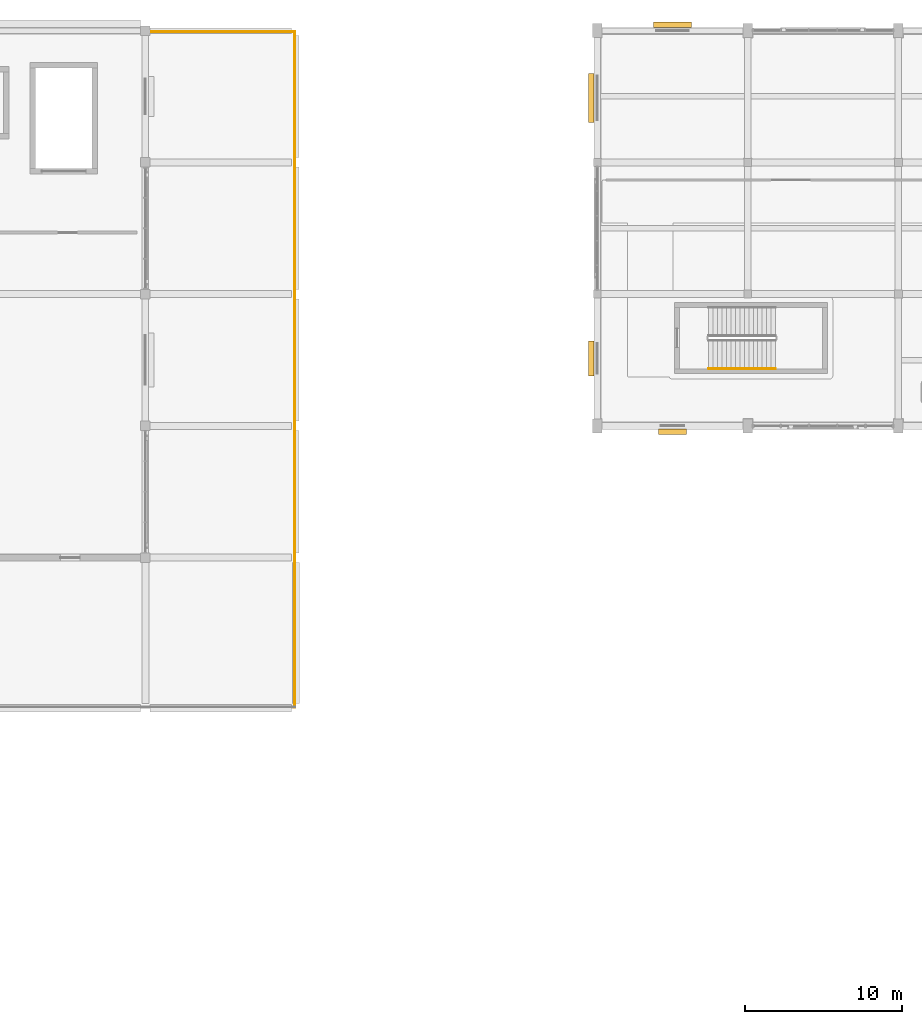
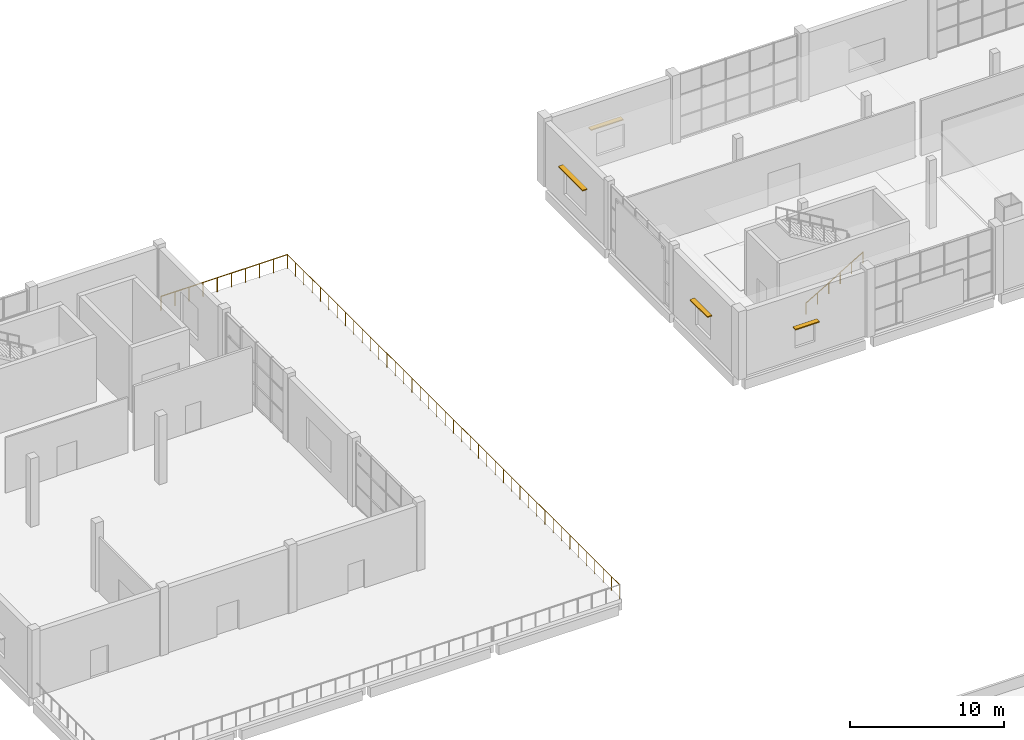
# One storey, part 63 of 72: 4 shading devices, 3 railings.
"""IFC4 building model written with IfcOpenShell, lengths in metres."""

from ifc_helpers import new_model, si_unit, direction, frame, origin, origin_2d, place, context, subcontext, project, spatial, rectangle, circle, extrude, material, type_object, element, save


model = new_model("IFC4")

# Units and contexts
model_context = context("Model", 3, precision=1e-05, world=origin(), true_north=direction((0.0, 1.0)))
body_context = subcontext(model_context, "Body", "Model", "MODEL_VIEW")
ifc_project = project(units=[si_unit("LENGTHUNIT", "METRE"), si_unit("AREAUNIT", "SQUARE_METRE"), si_unit("VOLUMEUNIT", "CUBIC_METRE"), si_unit("PLANEANGLEUNIT", "RADIAN"), si_unit("MASSUNIT", "GRAM", prefix="KILO")], contexts=[model_context])

# Site, building, storey
site_placement = place(None, origin())
site = spatial("IfcSite", under=ifc_project, at=site_placement, CompositionType="ELEMENT")
building_placement = place(site_placement, origin())
building = spatial("IfcBuilding", under=site, at=building_placement, Name="Shalvenor Court Art Gallery", CompositionType="ELEMENT")
storey_placement = place(building_placement, frame((0.0, 0.0, 11.39990234375)))
storey = spatial("IfcBuildingStorey", under=building, at=storey_placement, Name="L02", CompositionType="ELEMENT", Elevation=11.39990234375)

# Railings
ifc_material_1 = material(Name="Stainless steel and laminated glass balustrade", Category="steel")
railing_type_1 = type_object("IfcRailingType", Name="GR-01", PredefinedType="BALUSTRADE", material=ifc_material_1)
railing_1_placement = place(storey_placement, frame((28.860107421875, 122.320068359375, 0.0)))
element("IfcRailing", 1, at=railing_1_placement, inside=storey, type_object=railing_type_1, Name="L02 V5 Terrace Balustrade 52", PredefinedType="BALUSTRADE", context=body_context, shape_type="SweptSolid", body=[
    extrude(circle(Radius=0.02392578125, at=origin_2d()), frame((0.0, 0.0, 1.09619140625), z_axis=(1.0, 0.0, 0.0), x_axis=(0.0, 1.0, 0.0)), (0.0, 0.0, 1.0), 9.47998046875),
    extrude(circle(Radius=0.02099609375, at=origin_2d()), origin(), (0.0, 0.0, 1.0), 1.072021484375),
    extrude(circle(Radius=0.02099609375, at=origin_2d()), frame((1.05322265625, 0.0, 0.0)), (0.0, 0.0, 1.0), 1.072021484375),
    extrude(circle(Radius=0.02099609375, at=origin_2d()), frame((2.106689453125, 0.0, 0.0)), (0.0, 0.0, 1.0), 1.072021484375),
    extrude(circle(Radius=0.02099609375, at=origin_2d()), frame((3.159912109375, 0.0, 0.0)), (0.0, 0.0, 1.0), 1.072021484375),
    extrude(circle(Radius=0.02099609375, at=origin_2d()), frame((4.21337890625, 0.0, 0.0)), (0.0, 0.0, 1.0), 1.072021484375),
    extrude(circle(Radius=0.02099609375, at=origin_2d()), frame((5.2666015625, 0.0, 0.0)), (0.0, 0.0, 1.0), 1.072021484375),
    extrude(circle(Radius=0.02099609375, at=origin_2d()), frame((6.320068359375, 0.0, 0.0)), (0.0, 0.0, 1.0), 1.072021484375),
    extrude(circle(Radius=0.02099609375, at=origin_2d()), frame((7.373291015625, 0.0, 0.0)), (0.0, 0.0, 1.0), 1.072021484375),
    extrude(circle(Radius=0.02099609375, at=origin_2d()), frame((8.4267578125, 0.0, 0.0)), (0.0, 0.0, 1.0), 1.072021484375),
    extrude(circle(Radius=0.02099609375, at=origin_2d()), frame((9.47998046875, 0.0, 0.0)), (0.0, 0.0, 1.0), 1.072021484375),
])
railing_2_placement = place(storey_placement, frame((38.320068359375, 122.340087890625, 0.0)))
element("IfcRailing", 2, at=railing_2_placement, inside=storey, type_object=railing_type_1, Name="L02 V5 Terrace Balustrade 53", PredefinedType="BALUSTRADE", context=body_context, shape_type="SweptSolid", body=[
    extrude(circle(Radius=0.02392578125, at=origin_2d()), frame((0.0, 0.0, 1.09619140625), z_axis=(0.0, -1.0, 0.0), x_axis=(1.0, 0.0, 0.0)), (0.0, 0.0, 1.0), 43.080078125),
    extrude(circle(Radius=0.02099609375, at=origin_2d()), origin(), (0.0, 0.0, 1.0), 1.072021484375),
    extrude(circle(Radius=0.02099609375, at=origin_2d()), frame((0.0, -1.076904296875, 0.0)), (0.0, 0.0, 1.0), 1.072021484375),
    extrude(circle(Radius=0.02099609375, at=origin_2d()), frame((0.0, -2.154052734375, 0.0)), (0.0, 0.0, 1.0), 1.072021484375),
    extrude(circle(Radius=0.02099609375, at=origin_2d()), frame((0.0, -3.23095703125, 0.0)), (0.0, 0.0, 1.0), 1.072021484375),
    extrude(circle(Radius=0.02099609375, at=origin_2d()), frame((0.0, -4.30810546875, 0.0)), (0.0, 0.0, 1.0), 1.072021484375),
    extrude(circle(Radius=0.02099609375, at=origin_2d()), frame((0.0, -5.385009765625, 0.0)), (0.0, 0.0, 1.0), 1.072021484375),
    extrude(circle(Radius=0.02099609375, at=origin_2d()), frame((0.0, -6.4619140625, 0.0)), (0.0, 0.0, 1.0), 1.072021484375),
    extrude(circle(Radius=0.02099609375, at=origin_2d()), frame((0.0, -7.5390625, 0.0)), (0.0, 0.0, 1.0), 1.072021484375),
    extrude(circle(Radius=0.02099609375, at=origin_2d()), frame((0.0, -8.615966796875, 0.0)), (0.0, 0.0, 1.0), 1.072021484375),
    extrude(circle(Radius=0.02099609375, at=origin_2d()), frame((0.0, -9.693115234375, 0.0)), (0.0, 0.0, 1.0), 1.072021484375),
    extrude(circle(Radius=0.02099609375, at=origin_2d()), frame((0.0, -10.77001953125, 0.0)), (0.0, 0.0, 1.0), 1.072021484375),
    extrude(circle(Radius=0.02099609375, at=origin_2d()), frame((0.0, -11.846923828125, 0.0)), (0.0, 0.0, 1.0), 1.072021484375),
    extrude(circle(Radius=0.02099609375, at=origin_2d()), frame((0.0, -12.924072265625, 0.0)), (0.0, 0.0, 1.0), 1.072021484375),
    extrude(circle(Radius=0.02099609375, at=origin_2d()), frame((0.0, -14.0009765625, 0.0)), (0.0, 0.0, 1.0), 1.072021484375),
    extrude(circle(Radius=0.02099609375, at=origin_2d()), frame((0.0, -15.078125, 0.0)), (0.0, 0.0, 1.0), 1.072021484375),
    extrude(circle(Radius=0.02099609375, at=origin_2d()), frame((0.0, -16.155029296875, 0.0)), (0.0, 0.0, 1.0), 1.072021484375),
    extrude(circle(Radius=0.02099609375, at=origin_2d()), frame((0.0, -17.23193359375, 0.0)), (0.0, 0.0, 1.0), 1.072021484375),
    extrude(circle(Radius=0.02099609375, at=origin_2d()), frame((0.0, -18.30908203125, 0.0)), (0.0, 0.0, 1.0), 1.072021484375),
    extrude(circle(Radius=0.02099609375, at=origin_2d()), frame((0.0, -19.385986328125, 0.0)), (0.0, 0.0, 1.0), 1.072021484375),
    extrude(circle(Radius=0.02099609375, at=origin_2d()), frame((0.0, -20.463134765625, 0.0)), (0.0, 0.0, 1.0), 1.072021484375),
    extrude(circle(Radius=0.02099609375, at=origin_2d()), frame((0.0, -21.5400390625, 0.0)), (0.0, 0.0, 1.0), 1.072021484375),
    extrude(circle(Radius=0.02099609375, at=origin_2d()), frame((0.0, -22.616943359375, 0.0)), (0.0, 0.0, 1.0), 1.072021484375),
    extrude(circle(Radius=0.02099609375, at=origin_2d()), frame((0.0, -23.694091796875, 0.0)), (0.0, 0.0, 1.0), 1.072021484375),
    extrude(circle(Radius=0.02099609375, at=origin_2d()), frame((0.0, -24.77099609375, 0.0)), (0.0, 0.0, 1.0), 1.072021484375),
    extrude(circle(Radius=0.02099609375, at=origin_2d()), frame((0.0, -25.84814453125, 0.0)), (0.0, 0.0, 1.0), 1.072021484375),
    extrude(circle(Radius=0.02099609375, at=origin_2d()), frame((0.0, -26.925048828125, 0.0)), (0.0, 0.0, 1.0), 1.072021484375),
    extrude(circle(Radius=0.02099609375, at=origin_2d()), frame((0.0, -28.001953125, 0.0)), (0.0, 0.0, 1.0), 1.072021484375),
    extrude(circle(Radius=0.02099609375, at=origin_2d()), frame((0.0, -29.0791015625, 0.0)), (0.0, 0.0, 1.0), 1.072021484375),
    extrude(circle(Radius=0.02099609375, at=origin_2d()), frame((0.0, -30.156005859375, 0.0)), (0.0, 0.0, 1.0), 1.072021484375),
    extrude(circle(Radius=0.02099609375, at=origin_2d()), frame((0.0, -31.233154296875, 0.0)), (0.0, 0.0, 1.0), 1.072021484375),
    extrude(circle(Radius=0.02099609375, at=origin_2d()), frame((0.0, -32.31005859375, 0.0)), (0.0, 0.0, 1.0), 1.072021484375),
    extrude(circle(Radius=0.02099609375, at=origin_2d()), frame((0.0, -33.386962890625, 0.0)), (0.0, 0.0, 1.0), 1.072021484375),
    extrude(circle(Radius=0.02099609375, at=origin_2d()), frame((0.0, -34.464111328125, 0.0)), (0.0, 0.0, 1.0), 1.072021484375),
    extrude(circle(Radius=0.02099609375, at=origin_2d()), frame((0.0, -35.541015625, 0.0)), (0.0, 0.0, 1.0), 1.072021484375),
    extrude(circle(Radius=0.02099609375, at=origin_2d()), frame((0.0, -36.6181640625, 0.0)), (0.0, 0.0, 1.0), 1.072021484375),
    extrude(circle(Radius=0.02099609375, at=origin_2d()), frame((0.0, -37.695068359375, 0.0)), (0.0, 0.0, 1.0), 1.072021484375),
    extrude(circle(Radius=0.02099609375, at=origin_2d()), frame((0.0, -38.77197265625, 0.0)), (0.0, 0.0, 1.0), 1.072021484375),
    extrude(circle(Radius=0.02099609375, at=origin_2d()), frame((0.0, -39.84912109375, 0.0)), (0.0, 0.0, 1.0), 1.072021484375),
    extrude(circle(Radius=0.02099609375, at=origin_2d()), frame((0.0, -40.926025390625, 0.0)), (0.0, 0.0, 1.0), 1.072021484375),
    extrude(circle(Radius=0.02099609375, at=origin_2d()), frame((0.0, -42.003173828125, 0.0)), (0.0, 0.0, 1.0), 1.072021484375),
    extrude(circle(Radius=0.02099609375, at=origin_2d()), frame((0.0, -43.080078125, 0.0)), (0.0, 0.0, 1.0), 1.072021484375),
])
ifc_material_2 = material(Name="Brushed stainless steel handrail", Category="steel")
railing_type_2 = type_object("IfcRailingType", Name="HR-01", PredefinedType="HANDRAIL", material=ifc_material_2)
railing_3_placement = place(storey_placement, frame((64.699951171875, 100.85009765625, 0.1689453125)))
element("IfcRailing", 3, at=railing_3_placement, inside=storey, type_object=railing_type_2, Name="L02 ST-09 Stair Handrail 1", PredefinedType="HANDRAIL", context=body_context, shape_type="SweptSolid", body=[
    extrude(circle(Radius=0.02392578125, at=origin_2d()), frame((0.0, 0.0, 0.8759765625), z_axis=(0.860483042394, 0.0, 0.50947908078), x_axis=(0.0, 1.0, 0.0)), (0.0, 0.0, 1.0), 4.96826171875),
    extrude(circle(Radius=0.02099609375, at=origin_2d()), origin(), (0.0, 0.0, 1.0), 0.851806640625),
    extrude(circle(Radius=0.02099609375, at=origin_2d()), frame((0.85498046875, 0.0, 0.50634765625)), (0.0, 0.0, 1.0), 0.851806640625),
    extrude(circle(Radius=0.02099609375, at=origin_2d()), frame((1.7099609375, 0.0, 1.012451171875)), (0.0, 0.0, 1.0), 0.851806640625),
    extrude(circle(Radius=0.02099609375, at=origin_2d()), frame((2.565185546875, 0.0, 1.518798828125)), (0.0, 0.0, 1.0), 0.851806640625),
    extrude(circle(Radius=0.02099609375, at=origin_2d()), frame((3.420166015625, 0.0, 2.02490234375)), (0.0, 0.0, 1.0), 0.851806640625),
    extrude(circle(Radius=0.02099609375, at=origin_2d()), frame((4.275146484375, 0.0, 2.53125)), (0.0, 0.0, 1.0), 0.851806640625),
])

# Shading devices
ifc_material_3 = material(Name="Dark anodised bronze aluminium louvre", Category="aluminium")
shading_device_type = type_object("IfcShadingDeviceType", Name="SHD-01", PredefinedType="JALOUSIE", material=ifc_material_3)
shading_device_1_placement = place(storey_placement, frame((62.39990234375, 122.77001953125, 2.699951171875), z_axis=(0.0, 0.0, 1.0), x_axis=(1.0, 0.0, 0.0)))
element("IfcShadingDevice", 4, at=shading_device_1_placement, inside=storey, type_object=shading_device_type, Name="L02 Koushi Window Sunshade 33", PredefinedType="JALOUSIE", context=body_context, shape_type="SweptSolid", body=[
    extrude(rectangle(XDim=2.39990234375, YDim=0.360107421875, at=origin_2d()), origin(), (0.0, 0.0, 1.0), 0.080078125),
])
shading_device_2_placement = place(storey_placement, frame((62.39990234375, 96.830078125, 2.550048828125), z_axis=(0.0, 0.0, 1.0), x_axis=(-1.0, 0.0, 0.0)))
element("IfcShadingDevice", 5, at=shading_device_2_placement, inside=storey, type_object=shading_device_type, Name="L02 Koushi Window Sunshade 41", PredefinedType="JALOUSIE", context=body_context, shape_type="SweptSolid", body=[
    extrude(rectangle(XDim=1.800048828125, YDim=0.360107421875, at=origin_2d()), origin(), (0.0, 0.0, 1.0), 0.080078125),
])
shading_device_3_placement = place(storey_placement, frame((57.22998046875, 101.5, 2.85009765625), z_axis=(0.0, 0.0, 1.0), x_axis=(0.0, 1.0, 0.0)))
element("IfcShadingDevice", 6, at=shading_device_3_placement, inside=storey, type_object=shading_device_type, Name="L02 Koushi Window Sunshade 42", PredefinedType="JALOUSIE", context=body_context, shape_type="SweptSolid", body=[
    extrude(rectangle(XDim=2.25, YDim=0.360107421875, at=origin_2d()), origin(), (0.0, 0.0, 1.0), 0.080078125),
])
shading_device_4_placement = place(storey_placement, frame((57.22998046875, 118.10009765625, 3.050048828125), z_axis=(0.0, 0.0, 1.0), x_axis=(0.0, 1.0, 0.0)))
element("IfcShadingDevice", 7, at=shading_device_4_placement, inside=storey, type_object=shading_device_type, Name="L02 Koushi Window Sunshade 43", PredefinedType="JALOUSIE", context=body_context, shape_type="SweptSolid", body=[
    extrude(rectangle(XDim=3.14990234375, YDim=0.360107421875, at=origin_2d()), origin(), (0.0, 0.0, 1.0), 0.080078125),
])

save(model, "model.ifc")
